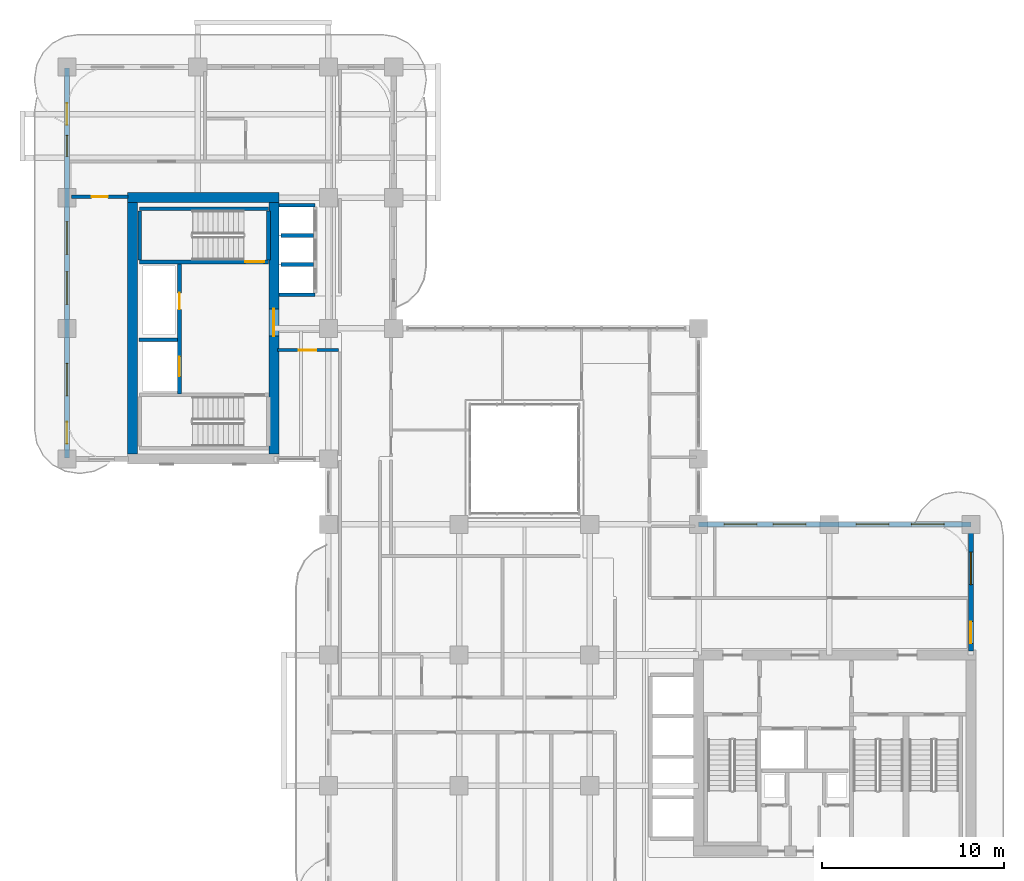
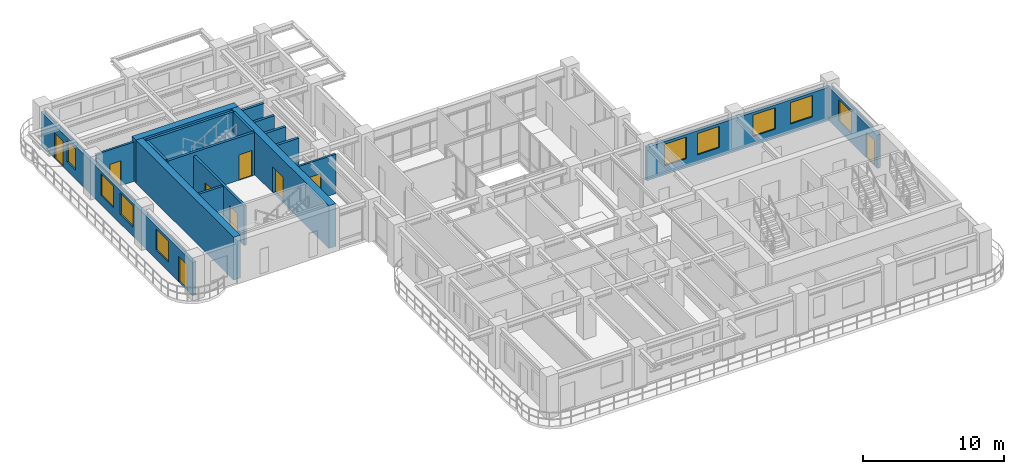
# One storey, part 14 of 21: 18 walls, 9 doors, 9 windows, 18 openings.
"""IFC4 building model written with IfcOpenShell, lengths in metres."""

from ifc_helpers import new_model, si_unit, derived_unit, direction, frame, frame_2d, origin, place, context, subcontext, project, spatial, rectangle, extrude, source, transform, mapped, material, layer, layer_set, type_object, type_shapes, element, fill, save


model = new_model("IFC4")

# Units and contexts
model_context = context("Model", 3, precision=1e-05, world=origin(), true_north=direction((0.0, 1.0)))
body_context = subcontext(model_context, "Body", "Model", "MODEL_VIEW")
ifc_project = project(units=[si_unit("LENGTHUNIT", "METRE"), si_unit("AREAUNIT", "SQUARE_METRE"), si_unit("VOLUMEUNIT", "CUBIC_METRE"), si_unit("PLANEANGLEUNIT", "RADIAN"), si_unit("MASSUNIT", "GRAM", prefix="KILO"), si_unit("THERMODYNAMICTEMPERATUREUNIT", "KELVIN"), si_unit("POWERUNIT", "WATT"), derived_unit("THERMALTRANSMITTANCEUNIT", [(si_unit("POWERUNIT", "WATT"), 1), (si_unit("AREAUNIT", "SQUARE_METRE"), -1), (si_unit("THERMODYNAMICTEMPERATUREUNIT", "KELVIN"), -1)])], contexts=[model_context])

# Site, building, storey
site_placement = place(None, origin())
site = spatial("IfcSite", under=ifc_project, at=site_placement, CompositionType="ELEMENT")
building_placement = place(site_placement, origin())
building = spatial("IfcBuilding", under=site, at=building_placement, Name="Zahravan Archway Hotel and Residences", CompositionType="ELEMENT")
storey_placement = place(building_placement, frame((0.0, 0.0, 141.39990234375)))
storey = spatial("IfcBuildingStorey", under=building, at=storey_placement, Name="L35", CompositionType="ELEMENT", Elevation=141.39990234375)

# Walls
ifc_material_1 = material(Name="Concrete C70/85", Category="concrete")
ifc_layer_1 = layer(ifc_material_1, 0.550048828125, Name="Concrete C70/85", Category="concrete")
ifc_layer_set_1 = layer_set([ifc_layer_1], Name="Concrete C70/85")
wall_type_1 = type_object("IfcWallType", Name="CW-CORE-550", PredefinedType="SHEAR", material=ifc_layer_set_1)
wall_1_placement = place(storey_placement, frame((3.324951171875, 39.60009765625, 0.0), z_axis=(0.0, 0.0, 1.0), x_axis=(1.0, 0.0, 0.0)))
element("IfcWall", 1, at=wall_1_placement, inside=storey, type_object=wall_type_1, Name="L35 Core B Shear N Wall 550 mm", PredefinedType="SHEAR", context=body_context, shape_type="SweptSolid", body=[
    extrude(rectangle(XDim=8.35009765625, YDim=0.550048828125, at=frame_2d((4.175048828125, 0.0))), origin(), (0.0, 0.0, 1.0), 3.7001953125),
])
wall_2_placement = place(storey_placement, frame((3.60009765625, 25.47509765625, 0.0), z_axis=(0.0, 0.0, 1.0), x_axis=(0.0, 1.0, 0.0)))
element("IfcWall", 2, at=wall_2_placement, inside=storey, type_object=wall_type_1, Name="L35 Core B Shear W Wall 550 mm", PredefinedType="SHEAR", context=body_context, shape_type="SweptSolid", body=[
    extrude(rectangle(XDim=13.849853515625, YDim=0.550048828125, at=frame_2d((6.9248046875, 0.0))), origin(), (0.0, 0.0, 1.0), 3.7001953125),
])

# Wall, opening, door
wall_3_placement = place(storey_placement, frame((11.39990234375, 25.47509765625, 0.0), z_axis=(0.0, 0.0, 1.0), x_axis=(0.0, 1.0, 0.0)))
wall_3 = element("IfcWall", 3, at=wall_3_placement, inside=storey, type_object=wall_type_1, Name="L35 Core B Shear E Wall 550 mm", PredefinedType="SHEAR", context=body_context, shape_type="SweptSolid", body=[
    extrude(rectangle(XDim=13.849853515625, YDim=0.550048828125, at=frame_2d((6.9248046875, 0.0))), origin(), (0.0, 0.0, 1.0), 3.7001953125),
])
opening_1_placement = place(wall_3_placement, frame((6.4951171875, 0.0, 0.0)))
opening_1 = element("IfcOpeningElement", 4, at=opening_1_placement, cuts=wall_3, Name="Opening FD-L1", PredefinedType="OPENING", context=body_context, shape_type="SweptSolid", body=[
    extrude(rectangle(XDim=1.5, YDim=2.199951171875, at=frame_2d((0.75, 1.10009765625))), frame((0.0, 0.28515625, 0.0), z_axis=(0.0, -1.0, 0.0), x_axis=(1.0, 0.0, 0.0)), (0.0, 0.0, 1.0), 0.570068359375),
])
ifc_material_2 = material(Name="Fire-Rated Painted Steel", Category="steel")
door_type_1 = type_object("IfcDoorType", Name="FD-LOBBY-1500", OperationType="DOUBLE_DOOR_SINGLE_SWING", PredefinedType="DOOR", material=ifc_material_2)
shared_shape_1 = source(origin(), body_context, "Body", "SweptSolid", [
    extrude(rectangle(XDim=1.5, YDim=2.199951171875, at=frame_2d((0.75, 1.10009765625))), frame((0.0, 0.02490234375, 0.0), z_axis=(0.0, -1.0, 0.0), x_axis=(1.0, 0.0, 0.0)), (0.0, 0.0, 1.0), 0.050048828125),
])
type_shapes(door_type_1, [shared_shape_1])
door_1_placement = place(opening_1_placement, origin())
door_1 = element("IfcDoor", 5, at=door_1_placement, inside=storey, type_object=door_type_1, Name="L35 Core B FSAE Lobby Door", OperationType="DOUBLE_DOOR_SINGLE_SWING", OverallHeight=2.199951171875, OverallWidth=1.5, PredefinedType="DOOR", context=body_context, shape_type="MappedRepresentation", body=[
    mapped(shared_shape_1, transform((0.0, 0.0, 0.0), scale=1.0)),
])
fill(opening_1, door_1)

# Wall, openings, door, window
ifc_material_3 = material(Name="Honed Red-Ochre Sandstone & Insulated Block", Category="masonry")
ifc_layer_2 = layer(ifc_material_3, 0.280029296875, Name="Honed Red-Ochre Sandstone & Insulated Block", Category="masonry")
ifc_layer_set_2 = layer_set([ifc_layer_2], Name="Honed Red-Ochre Sandstone & Insulated Block")
wall_type_2 = type_object("IfcWallType", Name="EW-LOG-280", PredefinedType="SOLIDWALL", material=ifc_layer_set_2)
wall_4_placement = place(storey_placement, frame((49.800048828125, 14.6201171875, 0.0), z_axis=(0.0, 0.0, 1.0), x_axis=(0.0, 1.0, 0.0)))
wall_4 = element("IfcWall", 6, at=wall_4_placement, inside=storey, type_object=wall_type_2, Name="L35 Exterior Sandstone Wall WA-EN", PredefinedType="SOLIDWALL", context=body_context, shape_type="SweptSolid", body=[
    extrude(rectangle(XDim=6.929931640625, YDim=0.280029296875, at=frame_2d((3.46484375, 0.0))), origin(), (0.0, 0.0, 1.0), 2.885009765625),
])
opening_2_placement = place(wall_4_placement, frame((0.419921875, 0.0, 0.0)))
opening_2 = element("IfcOpeningElement", 7, at=opening_2_placement, cuts=wall_4, Name="Opening ED-BL1", PredefinedType="OPENING", context=body_context, shape_type="SweptSolid", body=[
    extrude(rectangle(XDim=1.199951171875, YDim=2.199951171875, at=frame_2d((0.60009765625, 1.10009765625))), frame((0.0, 0.14990234375, 0.0), z_axis=(0.0, -1.0, 0.0), x_axis=(1.0, 0.0, 0.0)), (0.0, 0.0, 1.0), 0.300048828125),
])
opening_3_placement = place(wall_4_placement, frame((3.658935546875, 0.0, 0.800048828125)))
opening_3 = element("IfcOpeningElement", 8, at=opening_3_placement, cuts=wall_4, Name="Opening W-02", PredefinedType="OPENING", context=body_context, shape_type="SweptSolid", body=[
    extrude(rectangle(XDim=1.800048828125, YDim=1.85009765625, at=frame_2d((0.89990234375, 0.925048828125))), frame((0.0, 0.14990234375, 0.0), z_axis=(0.0, -1.0, 0.0), x_axis=(1.0, 0.0, 0.0)), (0.0, 0.0, 1.0), 0.300048828125),
])
ifc_material_4 = material(Name="Bronze-Anodized Glazed Aluminium", Category="aluminium")
door_type_2 = type_object("IfcDoorType", Name="ED-BALC-1200", OperationType="SLIDING_TO_LEFT", PredefinedType="DOOR", material=ifc_material_4)
shared_shape_2 = source(origin(), body_context, "Body", "SweptSolid", [
    extrude(rectangle(XDim=1.199951171875, YDim=2.199951171875, at=frame_2d((0.60009765625, 1.10009765625))), frame((0.0, 0.02490234375, 0.0), z_axis=(0.0, -1.0, 0.0), x_axis=(1.0, 0.0, 0.0)), (0.0, 0.0, 1.0), 0.050048828125),
])
type_shapes(door_type_2, [shared_shape_2])
door_2_placement = place(opening_2_placement, origin())
door_2 = element("IfcDoor", 9, at=door_2_placement, inside=storey, type_object=door_type_2, Name="L35 Outdoor Access Sliding Door (SLB-BAL-L35-EA)", OperationType="SLIDING_TO_LEFT", OverallHeight=2.199951171875, OverallWidth=1.199951171875, PredefinedType="DOOR", context=body_context, shape_type="MappedRepresentation", body=[
    mapped(shared_shape_2, transform((0.0, 0.0, 0.0), scale=1.0)),
])
fill(opening_2, door_2)
ifc_material_5 = material(Name="Bronze-Anodized Thermal-Break Aluminium & Low-E Glass", Category="aluminium")
window_type_1 = type_object("IfcWindowType", Name="WIN-TWR-1800", PartitioningType="DOUBLE_PANEL_VERTICAL", PredefinedType="WINDOW", material=ifc_material_5)
shared_shape_3 = source(origin(), body_context, "Body", "SweptSolid", [
    extrude(rectangle(XDim=1.800048828125, YDim=1.85009765625, at=frame_2d((0.89990234375, 0.925048828125))), frame((0.0, 0.030029296875, 0.0), z_axis=(0.0, -1.0, 0.0), x_axis=(1.0, 0.0, 0.0)), (0.0, 0.0, 1.0), 0.06005859375),
])
type_shapes(window_type_1, [shared_shape_3])
window_1_placement = place(opening_3_placement, origin())
window_1 = element("IfcWindow", 10, at=window_1_placement, inside=storey, type_object=window_type_1, Name="L35 Loggia Window 10", OverallHeight=1.85009765625, OverallWidth=1.800048828125, PartitioningType="DOUBLE_PANEL_VERTICAL", PredefinedType="WINDOW", context=body_context, shape_type="MappedRepresentation", body=[
    mapped(shared_shape_3, transform((0.0, 0.0, 0.0), scale=1.0)),
])
fill(opening_3, window_1)

# Wall, openings, windows
wall_5_placement = place(storey_placement, frame((34.800048828125, 21.60009765625, 0.0), z_axis=(0.0, 0.0, 1.0), x_axis=(1.0, 0.0, 0.0)))
wall_5 = element("IfcWall", 11, at=wall_5_placement, inside=storey, type_object=wall_type_2, Name="L35 Exterior Sandstone Wall WA-NE", PredefinedType="SOLIDWALL", context=body_context, shape_type="SweptSolid", body=[
    extrude(rectangle(XDim=15.0, YDim=0.280029296875, at=frame_2d((7.5, 0.0))), origin(), (0.0, 0.0, 1.0), 2.885009765625),
])
opening_4_placement = place(wall_5_placement, frame((1.406005859375, 0.0, 0.800048828125)))
opening_4 = element("IfcOpeningElement", 12, at=opening_4_placement, cuts=wall_5, Name="Opening W-02", PredefinedType="OPENING", context=body_context, shape_type="SweptSolid", body=[
    extrude(rectangle(XDim=1.800048828125, YDim=1.85009765625, at=frame_2d((0.89990234375, 0.925048828125))), frame((0.0, 0.14990234375, 0.0), z_axis=(0.0, -1.0, 0.0), x_axis=(1.0, 0.0, 0.0)), (0.0, 0.0, 1.0), 0.300048828125),
])
opening_5_placement = place(wall_5_placement, frame((4.10205078125, 0.0, 0.800048828125)))
opening_5 = element("IfcOpeningElement", 13, at=opening_5_placement, cuts=wall_5, Name="Opening W-02", PredefinedType="OPENING", context=body_context, shape_type="SweptSolid", body=[
    extrude(rectangle(XDim=1.800048828125, YDim=1.85009765625, at=frame_2d((0.89990234375, 0.925048828125))), frame((0.0, 0.14990234375, 0.0), z_axis=(0.0, -1.0, 0.0), x_axis=(1.0, 0.0, 0.0)), (0.0, 0.0, 1.0), 0.300048828125),
])
opening_6_placement = place(wall_5_placement, frame((8.675048828125, 0.0, 0.800048828125)))
opening_6 = element("IfcOpeningElement", 14, at=opening_6_placement, cuts=wall_5, Name="Opening W-02", PredefinedType="OPENING", context=body_context, shape_type="SweptSolid", body=[
    extrude(rectangle(XDim=1.800048828125, YDim=1.85009765625, at=frame_2d((0.89990234375, 0.925048828125))), frame((0.0, 0.14990234375, 0.0), z_axis=(0.0, -1.0, 0.0), x_axis=(1.0, 0.0, 0.0)), (0.0, 0.0, 1.0), 0.300048828125),
])
opening_7_placement = place(wall_5_placement, frame((11.72509765625, 0.0, 0.800048828125)))
opening_7 = element("IfcOpeningElement", 15, at=opening_7_placement, cuts=wall_5, Name="Opening W-02", PredefinedType="OPENING", context=body_context, shape_type="SweptSolid", body=[
    extrude(rectangle(XDim=1.800048828125, YDim=1.85009765625, at=frame_2d((0.89990234375, 0.925048828125))), frame((0.0, 0.14990234375, 0.0), z_axis=(0.0, -1.0, 0.0), x_axis=(1.0, 0.0, 0.0)), (0.0, 0.0, 1.0), 0.300048828125),
])
window_2_placement = place(opening_4_placement, origin())
window_2 = element("IfcWindow", 16, at=window_2_placement, inside=storey, type_object=window_type_1, Name="L35 Loggia Window 11", OverallHeight=1.85009765625, OverallWidth=1.800048828125, PartitioningType="DOUBLE_PANEL_VERTICAL", PredefinedType="WINDOW", context=body_context, shape_type="MappedRepresentation", body=[
    mapped(shared_shape_3, transform((0.0, 0.0, 0.0), scale=1.0)),
])
fill(opening_4, window_2)
window_3_placement = place(opening_5_placement, origin())
window_3 = element("IfcWindow", 17, at=window_3_placement, inside=storey, type_object=window_type_1, Name="L35 Loggia Window 12", OverallHeight=1.85009765625, OverallWidth=1.800048828125, PartitioningType="DOUBLE_PANEL_VERTICAL", PredefinedType="WINDOW", context=body_context, shape_type="MappedRepresentation", body=[
    mapped(shared_shape_3, transform((0.0, 0.0, 0.0), scale=1.0)),
])
fill(opening_5, window_3)
window_4_placement = place(opening_6_placement, origin())
window_4 = element("IfcWindow", 18, at=window_4_placement, inside=storey, type_object=window_type_1, Name="L35 Loggia Window 13", OverallHeight=1.85009765625, OverallWidth=1.800048828125, PartitioningType="DOUBLE_PANEL_VERTICAL", PredefinedType="WINDOW", context=body_context, shape_type="MappedRepresentation", body=[
    mapped(shared_shape_3, transform((0.0, 0.0, 0.0), scale=1.0)),
])
fill(opening_6, window_4)
window_5_placement = place(opening_7_placement, origin())
window_5 = element("IfcWindow", 19, at=window_5_placement, inside=storey, type_object=window_type_1, Name="L35 Loggia Window 14", OverallHeight=1.85009765625, OverallWidth=1.800048828125, PartitioningType="DOUBLE_PANEL_VERTICAL", PredefinedType="WINDOW", context=body_context, shape_type="MappedRepresentation", body=[
    mapped(shared_shape_3, transform((0.0, 0.0, 0.0), scale=1.0)),
])
fill(opening_7, window_5)

# Wall, openings, doors, windows
wall_6_placement = place(storey_placement, frame((0.0, 25.25, 0.0), z_axis=(0.0, 0.0, 1.0), x_axis=(0.0, 1.0, 0.0)))
wall_6 = element("IfcWall", 20, at=wall_6_placement, inside=storey, type_object=wall_type_2, Name="L35 Exterior Sandstone Wall WB-W", PredefinedType="SOLIDWALL", context=body_context, shape_type="SweptSolid", body=[
    extrude(rectangle(XDim=21.5, YDim=0.280029296875, at=frame_2d((10.75, 0.0))), origin(), (0.0, 0.0, 1.0), 2.885009765625),
])
opening_8_placement = place(wall_6_placement, frame((18.35693359375, 0.0, 0.0)))
opening_8 = element("IfcOpeningElement", 21, at=opening_8_placement, cuts=wall_6, Name="Opening ED-BL1", PredefinedType="OPENING", context=body_context, shape_type="SweptSolid", body=[
    extrude(rectangle(XDim=1.199951171875, YDim=2.199951171875, at=frame_2d((0.60009765625, 1.10009765625))), frame((0.0, 0.14990234375, 0.0), z_axis=(0.0, -1.0, 0.0), x_axis=(1.0, 0.0, 0.0)), (0.0, 0.0, 1.0), 0.300048828125),
])
opening_9_placement = place(wall_6_placement, frame((0.800048828125, 0.0, 0.0)))
opening_9 = element("IfcOpeningElement", 22, at=opening_9_placement, cuts=wall_6, Name="Opening ED-BL1", PredefinedType="OPENING", context=body_context, shape_type="SweptSolid", body=[
    extrude(rectangle(XDim=1.199951171875, YDim=2.199951171875, at=frame_2d((0.60009765625, 1.10009765625))), frame((0.0, 0.14990234375, 0.0), z_axis=(0.0, -1.0, 0.0), x_axis=(1.0, 0.0, 0.0)), (0.0, 0.0, 1.0), 0.300048828125),
])
opening_10_placement = place(wall_6_placement, frame((3.425048828125, 0.0, 0.800048828125)))
opening_10 = element("IfcOpeningElement", 23, at=opening_10_placement, cuts=wall_6, Name="Opening W-02", PredefinedType="OPENING", context=body_context, shape_type="SweptSolid", body=[
    extrude(rectangle(XDim=1.800048828125, YDim=1.85009765625, at=frame_2d((0.89990234375, 0.925048828125))), frame((0.0, 0.14990234375, 0.0), z_axis=(0.0, -1.0, 0.0), x_axis=(1.0, 0.0, 0.0)), (0.0, 0.0, 1.0), 0.300048828125),
])
opening_11_placement = place(wall_6_placement, frame((8.47509765625, 0.0, 0.800048828125)))
opening_11 = element("IfcOpeningElement", 24, at=opening_11_placement, cuts=wall_6, Name="Opening W-02", PredefinedType="OPENING", context=body_context, shape_type="SweptSolid", body=[
    extrude(rectangle(XDim=1.800048828125, YDim=1.85009765625, at=frame_2d((0.89990234375, 0.925048828125))), frame((0.0, 0.14990234375, 0.0), z_axis=(0.0, -1.0, 0.0), x_axis=(1.0, 0.0, 0.0)), (0.0, 0.0, 1.0), 0.300048828125),
])
opening_12_placement = place(wall_6_placement, frame((11.22509765625, 0.0, 0.800048828125)))
opening_12 = element("IfcOpeningElement", 25, at=opening_12_placement, cuts=wall_6, Name="Opening W-02", PredefinedType="OPENING", context=body_context, shape_type="SweptSolid", body=[
    extrude(rectangle(XDim=1.800048828125, YDim=1.85009765625, at=frame_2d((0.89990234375, 0.925048828125))), frame((0.0, 0.14990234375, 0.0), z_axis=(0.0, -1.0, 0.0), x_axis=(1.0, 0.0, 0.0)), (0.0, 0.0, 1.0), 0.300048828125),
])
opening_13_placement = place(wall_6_placement, frame((16.632080078125, 0.0, 0.800048828125)))
opening_13 = element("IfcOpeningElement", 26, at=opening_13_placement, cuts=wall_6, Name="Opening W-05", PredefinedType="OPENING", context=body_context, shape_type="SweptSolid", body=[
    extrude(rectangle(XDim=1.14990234375, YDim=1.800048828125, at=frame_2d((0.574951171875, 0.89990234375))), frame((0.0, 0.14990234375, 0.0), z_axis=(0.0, -1.0, 0.0), x_axis=(1.0, 0.0, 0.0)), (0.0, 0.0, 1.0), 0.300048828125),
])
door_3_placement = place(opening_8_placement, origin())
door_3 = element("IfcDoor", 27, at=door_3_placement, inside=storey, type_object=door_type_2, Name="L35 Outdoor Access Sliding Door (SLB-BAL-L35-NB)", OperationType="SLIDING_TO_LEFT", OverallHeight=2.199951171875, OverallWidth=1.199951171875, PredefinedType="DOOR", context=body_context, shape_type="MappedRepresentation", body=[
    mapped(shared_shape_2, transform((0.0, 0.0, 0.0), scale=1.0)),
])
fill(opening_8, door_3)
door_4_placement = place(opening_9_placement, origin())
door_4 = element("IfcDoor", 28, at=door_4_placement, inside=storey, type_object=door_type_2, Name="L35 Outdoor Access Sliding Door (SLB-BAL-L35-WB)", OperationType="SLIDING_TO_LEFT", OverallHeight=2.199951171875, OverallWidth=1.199951171875, PredefinedType="DOOR", context=body_context, shape_type="MappedRepresentation", body=[
    mapped(shared_shape_2, transform((0.0, 0.0, 0.0), scale=1.0)),
])
fill(opening_9, door_4)
window_6_placement = place(opening_10_placement, origin())
window_6 = element("IfcWindow", 29, at=window_6_placement, inside=storey, type_object=window_type_1, Name="L35 Loggia Window 22", OverallHeight=1.85009765625, OverallWidth=1.800048828125, PartitioningType="DOUBLE_PANEL_VERTICAL", PredefinedType="WINDOW", context=body_context, shape_type="MappedRepresentation", body=[
    mapped(shared_shape_3, transform((0.0, 0.0, 0.0), scale=1.0)),
])
fill(opening_10, window_6)
window_7_placement = place(opening_11_placement, origin())
window_7 = element("IfcWindow", 30, at=window_7_placement, inside=storey, type_object=window_type_1, Name="L35 Loggia Window 23", OverallHeight=1.85009765625, OverallWidth=1.800048828125, PartitioningType="DOUBLE_PANEL_VERTICAL", PredefinedType="WINDOW", context=body_context, shape_type="MappedRepresentation", body=[
    mapped(shared_shape_3, transform((0.0, 0.0, 0.0), scale=1.0)),
])
fill(opening_11, window_7)
window_8_placement = place(opening_12_placement, origin())
window_8 = element("IfcWindow", 31, at=window_8_placement, inside=storey, type_object=window_type_1, Name="L35 Loggia Window 24", OverallHeight=1.85009765625, OverallWidth=1.800048828125, PartitioningType="DOUBLE_PANEL_VERTICAL", PredefinedType="WINDOW", context=body_context, shape_type="MappedRepresentation", body=[
    mapped(shared_shape_3, transform((0.0, 0.0, 0.0), scale=1.0)),
])
fill(opening_12, window_8)
window_type_2 = type_object("IfcWindowType", Name="WIN-TWR-1150", PartitioningType="SINGLE_PANEL", PredefinedType="WINDOW", material=ifc_material_5)
shared_shape_4 = source(origin(), body_context, "Body", "SweptSolid", [
    extrude(rectangle(XDim=1.14990234375, YDim=1.800048828125, at=frame_2d((0.574951171875, 0.89990234375))), frame((0.0, 0.030029296875, 0.0), z_axis=(0.0, -1.0, 0.0), x_axis=(1.0, 0.0, 0.0)), (0.0, 0.0, 1.0), 0.06005859375),
])
type_shapes(window_type_2, [shared_shape_4])
window_9_placement = place(opening_13_placement, origin())
window_9 = element("IfcWindow", 32, at=window_9_placement, inside=storey, type_object=window_type_2, Name="L35 Loggia Window 25", OverallHeight=1.800048828125, OverallWidth=1.14990234375, PartitioningType="SINGLE_PANEL", PredefinedType="WINDOW", context=body_context, shape_type="MappedRepresentation", body=[
    mapped(shared_shape_4, transform((0.0, 0.0, 0.0), scale=1.0)),
])
fill(opening_13, window_9)

# Wall, openings, doors
ifc_material_6 = material(Name="Fire-Rated Gypsum & Concrete Block", Category="concrete")
ifc_layer_3 = layer(ifc_material_6, 0.199951171875, Name="Fire-Rated Gypsum & Concrete Block", Category="concrete")
ifc_layer_set_3 = layer_set([ifc_layer_3], Name="Fire-Rated Gypsum & Concrete Block")
wall_type_3 = type_object("IfcWallType", Name="PW-SHAFT-200", PredefinedType="PARTITIONING", material=ifc_layer_set_3)
wall_7_placement = place(storey_placement, frame((6.199951171875, 28.7900390625, 0.0), z_axis=(0.0, 0.0, 1.0), x_axis=(0.0, 1.0, 0.0)))
wall_7 = element("IfcWall", 33, at=wall_7_placement, inside=storey, type_object=wall_type_3, Name="L35 Partition CB-FL3E", PredefinedType="PARTITIONING", context=body_context, shape_type="SweptSolid", body=[
    extrude(rectangle(XDim=7.219970703125, YDim=0.199951171875, at=frame_2d((3.60986328125, 0.0))), origin(), (0.0, 0.0, 1.0), 3.400146484375),
])
opening_14_placement = place(wall_7_placement, frame((4.659912109375, 0.0, 0.0)))
opening_14 = element("IfcOpeningElement", 34, at=opening_14_placement, cuts=wall_7, Name="Opening FD-R1", PredefinedType="OPENING", context=body_context, shape_type="SweptSolid", body=[
    extrude(rectangle(XDim=0.89990234375, YDim=2.10009765625, at=frame_2d((0.449951171875, 1.050048828125))), frame((0.0, 0.10986328125, 0.0), z_axis=(0.0, -1.0, 0.0), x_axis=(1.0, 0.0, 0.0)), (0.0, 0.0, 1.0), 0.219970703125),
])
opening_15_placement = place(wall_7_placement, frame((0.9599609375, 0.0, 0.0)))
opening_15 = element("IfcOpeningElement", 35, at=opening_15_placement, cuts=wall_7, Name="Opening LD", PredefinedType="OPENING", context=body_context, shape_type="SweptSolid", body=[
    extrude(rectangle(XDim=1.10009765625, YDim=2.199951171875, at=frame_2d((0.550048828125, 1.10009765625))), frame((0.0, 0.10986328125, 0.0), z_axis=(0.0, -1.0, 0.0), x_axis=(1.0, 0.0, 0.0)), (0.0, 0.0, 1.0), 0.219970703125),
])
door_type_3 = type_object("IfcDoorType", Name="FD-RISER-900", OperationType="NOTDEFINED", PredefinedType="DOOR", material=ifc_material_2)
shared_shape_5 = source(origin(), body_context, "Body", "SweptSolid", [
    extrude(rectangle(XDim=0.89990234375, YDim=2.10009765625, at=frame_2d((0.449951171875, 1.050048828125))), frame((0.0, 0.02490234375, 0.0), z_axis=(0.0, -1.0, 0.0), x_axis=(1.0, 0.0, 0.0)), (0.0, 0.0, 1.0), 0.050048828125),
])
type_shapes(door_type_3, [shared_shape_5])
door_5_placement = place(opening_14_placement, origin())
door_5 = element("IfcDoor", 36, at=door_5_placement, inside=storey, type_object=door_type_3, Name="L35 Core B Riser Door", OperationType="SINGLE_SWING_RIGHT", OverallHeight=2.10009765625, OverallWidth=0.89990234375, PredefinedType="DOOR", context=body_context, shape_type="MappedRepresentation", body=[
    mapped(shared_shape_5, transform((0.0, 0.0, 0.0), scale=1.0)),
])
fill(opening_14, door_5)
ifc_material_7 = material(Name="Brushed Stainless Steel", Category="steel")
door_type_4 = type_object("IfcDoorType", Name="DR-LIFT-LD", OperationType="SLIDING_TO_LEFT", PredefinedType="DOOR", material=ifc_material_7)
shared_shape_6 = source(origin(), body_context, "Body", "SweptSolid", [
    extrude(rectangle(XDim=1.10009765625, YDim=2.199951171875, at=frame_2d((0.550048828125, 1.10009765625))), frame((0.0, 0.02490234375, 0.0), z_axis=(0.0, -1.0, 0.0), x_axis=(1.0, 0.0, 0.0)), (0.0, 0.0, 1.0), 0.050048828125),
])
type_shapes(door_type_4, [shared_shape_6])
door_6_placement = place(opening_15_placement, origin())
door_6 = element("IfcDoor", 37, at=door_6_placement, inside=storey, type_object=door_type_4, Name="L35 Lift FL-3 Sliding Landing Door", OperationType="SLIDING_TO_LEFT", OverallHeight=2.199951171875, OverallWidth=1.10009765625, PredefinedType="DOOR", context=body_context, shape_type="MappedRepresentation", body=[
    mapped(shared_shape_6, transform((0.0, 0.0, 0.0), scale=1.0)),
])
fill(opening_15, door_6)

# Walls
wall_8_placement = place(storey_placement, frame((3.9599609375, 31.780029296875, 0.0), z_axis=(0.0, 0.0, 1.0), x_axis=(1.0, 0.0, 0.0)))
element("IfcWall", 38, at=wall_8_placement, inside=storey, type_object=wall_type_3, Name="L35 Partition CB-FL3N", PredefinedType="PARTITIONING", context=body_context, shape_type="SweptSolid", body=[
    extrude(rectangle(XDim=2.130126953125, YDim=0.199951171875, at=frame_2d((1.06494140625, 0.0))), origin(), (0.0, 0.0, 1.0), 3.400146484375),
])
for number, where, z_axis, x_axis, name in (
    (39, (11.68505859375, 34.25, 0.0), (0.0, 0.0, 1.0), (1.0, 0.0, 0.0), "L35 Partition B2-S"),
    (40, (11.68505859375, 39.18994140625, 0.0), (0.0, 0.0, 1.0), (1.0, 0.0, 0.0), "L35 Partition B2-N"),
):
    element("IfcWall", number, at=place(storey_placement, frame(where, z_axis=z_axis, x_axis=x_axis)), inside=storey, type_object=wall_type_3, Name=name, PredefinedType="PARTITIONING", context=body_context, shape_type="SweptSolid", body=[
        extrude(rectangle(XDim=1.98486328125, YDim=0.199951171875, at=frame_2d((0.992431640625, 0.0))), origin(), (0.0, 0.0, 1.0), 3.400146484375),
    ])
for number, where, z_axis, x_axis, name in (
    (41, (11.784912109375, 35.919921875, 0.0), (0.0, 0.0, 1.0), (1.0, 0.0, 0.0), "L35 Partition B2-D"),
    (42, (11.784912109375, 37.52001953125, 0.0), (0.0, 0.0, 1.0), (1.0, 0.0, 0.0), "L35 Partition B2-D"),
):
    element("IfcWall", number, at=place(storey_placement, frame(where, z_axis=z_axis, x_axis=x_axis)), inside=storey, type_object=wall_type_3, Name=name, PredefinedType="PARTITIONING", context=body_context, shape_type="SweptSolid", body=[
        extrude(rectangle(XDim=1.78515625, YDim=0.199951171875, at=frame_2d((0.892578125, 0.0))), origin(), (0.0, 0.0, 1.0), 3.400146484375),
    ])

# Wall, opening, door
ifc_material_8 = material(Name="Acoustic Stud Partition")
ifc_layer_4 = layer(ifc_material_8, 0.169921875, Name="Acoustic Stud Partition")
ifc_layer_set_4 = layer_set([ifc_layer_4], Name="Acoustic Stud Partition")
wall_type_4 = type_object("IfcWallType", Name="PW-UNIT-170", PredefinedType="PARTITIONING", material=ifc_layer_set_4)
wall_9_placement = place(storey_placement, frame((0.239990234375, 39.64990234375, 0.0), z_axis=(0.0, 0.0, 1.0), x_axis=(1.0, 0.0, 0.0)))
wall_9 = element("IfcWall", 43, at=wall_9_placement, inside=storey, type_object=wall_type_4, Name="L35 Partition WBW-N", PredefinedType="PARTITIONING", context=body_context, shape_type="SweptSolid", body=[
    extrude(rectangle(XDim=3.1201171875, YDim=0.169921875, at=frame_2d((1.56005859375, 0.0))), origin(), (0.0, 0.0, 1.0), 3.400146484375),
])
opening_16_placement = place(wall_9_placement, frame((1.110107421875, 0.0, 0.0)))
opening_16 = element("IfcOpeningElement", 44, at=opening_16_placement, cuts=wall_9, Name="Opening D-I2", PredefinedType="OPENING", context=body_context, shape_type="SweptSolid", body=[
    extrude(rectangle(XDim=0.89990234375, YDim=2.14990234375, at=frame_2d((0.449951171875, 1.074951171875))), frame((0.0, 0.094970703125, 0.0), z_axis=(0.0, -1.0, 0.0), x_axis=(1.0, 0.0, 0.0)), (0.0, 0.0, 1.0), 0.18994140625),
])
ifc_material_9 = material(Name="Hardwood Veneer Timber", Category="wood")
door_type_5 = type_object("IfcDoorType", Name="ID-INT-900", OperationType="NOTDEFINED", PredefinedType="DOOR", material=ifc_material_9)
shared_shape_7 = source(origin(), body_context, "Body", "SweptSolid", [
    extrude(rectangle(XDim=0.89990234375, YDim=2.14990234375, at=frame_2d((0.449951171875, 1.074951171875))), frame((0.0, 0.02490234375, 0.0), z_axis=(0.0, -1.0, 0.0), x_axis=(1.0, 0.0, 0.0)), (0.0, 0.0, 1.0), 0.050048828125),
])
type_shapes(door_type_5, [shared_shape_7])
door_7_placement = place(opening_16_placement, origin())
door_7 = element("IfcDoor", 45, at=door_7_placement, inside=storey, type_object=door_type_5, Name="L35 West Loggia Salon Door", OperationType="SINGLE_SWING_RIGHT", OverallHeight=2.14990234375, OverallWidth=0.89990234375, PredefinedType="DOOR", context=body_context, shape_type="MappedRepresentation", body=[
    mapped(shared_shape_7, transform((0.0, 0.0, 0.0), scale=1.0)),
])
fill(opening_16, door_7)

wall_10_placement = place(storey_placement, frame((11.590087890625, 31.199951171875, 0.0), z_axis=(0.0, 0.0, 1.0), x_axis=(1.0, 0.0, 0.0)))
wall_10 = element("IfcWall", 46, at=wall_10_placement, inside=storey, type_object=wall_type_4, Name="L35 Partition FB1-N", PredefinedType="PARTITIONING", context=body_context, shape_type="SweptSolid", body=[
    extrude(rectangle(XDim=3.369873046875, YDim=0.169921875, at=frame_2d((1.68505859375, 0.0))), origin(), (0.0, 0.0, 1.0), 3.400146484375),
])
opening_17_placement = place(wall_10_placement, frame((1.18505859375, 0.0, 0.0)))
opening_17 = element("IfcOpeningElement", 47, at=opening_17_placement, cuts=wall_10, Name="Opening D-I1", PredefinedType="OPENING", context=body_context, shape_type="SweptSolid", body=[
    extrude(rectangle(XDim=0.949951171875, YDim=2.14990234375, at=frame_2d((0.47509765625, 1.074951171875))), frame((0.0, 0.094970703125, 0.0), z_axis=(0.0, -1.0, 0.0), x_axis=(1.0, 0.0, 0.0)), (0.0, 0.0, 1.0), 0.18994140625),
])
door_type_6 = type_object("IfcDoorType", Name="ID-INT-950", OperationType="NOTDEFINED", PredefinedType="DOOR", material=ifc_material_9)
shared_shape_8 = source(origin(), body_context, "Body", "SweptSolid", [
    extrude(rectangle(XDim=0.949951171875, YDim=2.14990234375, at=frame_2d((0.47509765625, 1.074951171875))), frame((0.0, 0.02490234375, 0.0), z_axis=(0.0, -1.0, 0.0), x_axis=(1.0, 0.0, 0.0)), (0.0, 0.0, 1.0), 0.050048828125),
])
type_shapes(door_type_6, [shared_shape_8])
door_8_placement = place(opening_17_placement, origin())
door_8 = element("IfcDoor", 48, at=door_8_placement, inside=storey, type_object=door_type_6, Name="L35 Freed Bank 1 Reading Salon Door", OperationType="SINGLE_SWING_LEFT", OverallHeight=2.14990234375, OverallWidth=0.949951171875, PredefinedType="DOOR", context=body_context, shape_type="MappedRepresentation", body=[
    mapped(shared_shape_8, transform((0.0, 0.0, 0.0), scale=1.0)),
])
fill(opening_17, door_8)

# Walls
ifc_material_10 = material(Name="Concrete C50/60", Category="concrete")
ifc_layer_5 = layer(ifc_material_10, 0.199951171875, Name="Concrete C50/60", Category="concrete")
ifc_layer_set_5 = layer_set([ifc_layer_5], Name="Concrete C50/60")
wall_type_5 = type_object("IfcWallType", Name="SW-STAIR-200", PredefinedType="SHEAR", material=ifc_layer_set_5)
wall_11_placement = place(storey_placement, frame((4.0, 39.0, 0.0), z_axis=(0.0, 0.0, 1.0), x_axis=(1.0, 0.0, 0.0)))
element("IfcWall", 49, at=wall_11_placement, inside=storey, type_object=wall_type_5, Name="L35 Stairwell RC Wall CB-SB2N", PredefinedType="SHEAR", context=body_context, shape_type="SweptSolid", body=[
    extrude(rectangle(XDim=7.10009765625, YDim=0.199951171875, at=frame_2d((3.550048828125, 0.0))), origin(), (0.0, 0.0, 1.0), 3.7001953125),
])
for number, where, z_axis, x_axis, name in (
    (50, (4.0, 36.179931640625, 0.0), (0.0, 0.0, 1.0), (0.0, 1.0, 0.0), "L35 Stairwell RC Wall CB-SB2W"),
    (51, (11.10009765625, 36.179931640625, 0.0), (0.0, 0.0, 1.0), (0.0, 1.0, 0.0), "L35 Stairwell RC Wall CB-SB2E"),
):
    element("IfcWall", number, at=place(storey_placement, frame(where, z_axis=z_axis, x_axis=x_axis)), inside=storey, type_object=wall_type_5, Name=name, PredefinedType="SHEAR", context=body_context, shape_type="SweptSolid", body=[
        extrude(rectangle(XDim=2.699951171875, YDim=0.199951171875, at=frame_2d((1.35009765625, 0.0))), origin(), (0.0, 0.0, 1.0), 3.7001953125),
    ])

# Wall, opening, door
wall_12_placement = place(storey_placement, frame((4.0, 36.06005859375, 0.0), z_axis=(0.0, 0.0, 1.0), x_axis=(1.0, 0.0, 0.0)))
wall_12 = element("IfcWall", 52, at=wall_12_placement, inside=storey, type_object=wall_type_5, Name="L35 Stairwell RC Wall CB-SB2S", PredefinedType="SHEAR", context=body_context, shape_type="SweptSolid", body=[
    extrude(rectangle(XDim=7.10009765625, YDim=0.199951171875, at=frame_2d((3.550048828125, 0.0))), origin(), (0.0, 0.0, 1.0), 3.7001953125),
])
opening_18_placement = place(wall_12_placement, frame((5.81494140625, 0.0, 0.0)))
opening_18 = element("IfcOpeningElement", 53, at=opening_18_placement, cuts=wall_12, Name="Opening FD-S1", PredefinedType="OPENING", context=body_context, shape_type="SweptSolid", body=[
    extrude(rectangle(XDim=1.050048828125, YDim=2.199951171875, at=frame_2d((0.52490234375, 1.10009765625))), frame((0.0, 0.10986328125, 0.0), z_axis=(0.0, -1.0, 0.0), x_axis=(1.0, 0.0, 0.0)), (0.0, 0.0, 1.0), 0.219970703125),
])
door_type_7 = type_object("IfcDoorType", Name="FD-STAIR-1100", OperationType="NOTDEFINED", PredefinedType="DOOR", material=ifc_material_2)
shared_shape_9 = source(origin(), body_context, "Body", "SweptSolid", [
    extrude(rectangle(XDim=1.050048828125, YDim=2.199951171875, at=frame_2d((0.52490234375, 1.10009765625))), frame((0.0, 0.02490234375, 0.0), z_axis=(0.0, -1.0, 0.0), x_axis=(1.0, 0.0, 0.0)), (0.0, 0.0, 1.0), 0.050048828125),
])
type_shapes(door_type_7, [shared_shape_9])
door_9_placement = place(opening_18_placement, origin())
door_9 = element("IfcDoor", 54, at=door_9_placement, inside=storey, type_object=door_type_7, Name="L35 Stair ST-B2 Door", OperationType="SINGLE_SWING_LEFT", OverallHeight=2.199951171875, OverallWidth=1.050048828125, PredefinedType="DOOR", context=body_context, shape_type="MappedRepresentation", body=[
    mapped(shared_shape_9, transform((0.0, 0.0, 0.0), scale=1.0)),
])
fill(opening_18, door_9)

save(model, "model.ifc")
